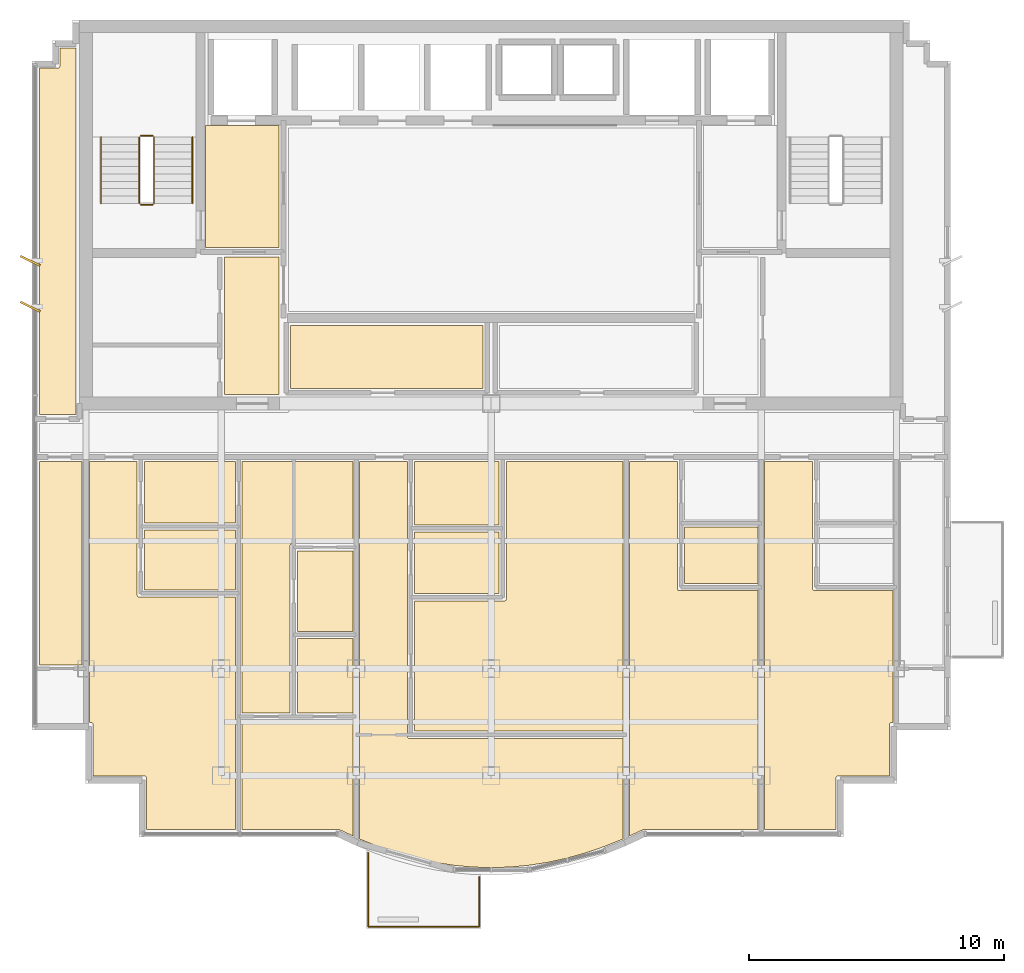
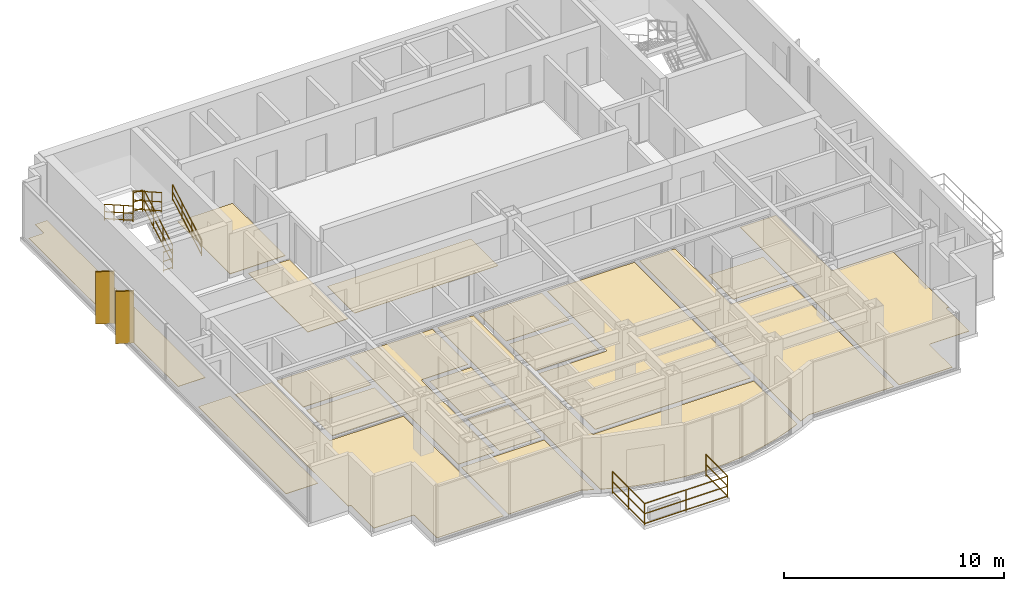
# One storey, part 8 of 9: 19 coverings, 7 railings, 2 shading devices.
"""IFC4 building model written with IfcOpenShell, lengths in metres."""

from ifc_helpers import new_model, si_unit, direction, frame, origin, origin_2d, place, context, subcontext, project, spatial, polyline, rectangle, circle, outline, extrude, source, transform, mapped, material, layer, layer_set, type_object, element, save


model = new_model("IFC4")

# Units and contexts
model_context = context("Model", 3, precision=1e-05, world=origin(), true_north=direction((0.0, 1.0)))
body_context = subcontext(model_context, "Body", "Model", "MODEL_VIEW")
ifc_project = project(units=[si_unit("LENGTHUNIT", "METRE"), si_unit("AREAUNIT", "SQUARE_METRE"), si_unit("VOLUMEUNIT", "CUBIC_METRE"), si_unit("PLANEANGLEUNIT", "RADIAN"), si_unit("MASSUNIT", "GRAM", prefix="KILO")], contexts=[model_context])

# Site, building, storey
site_placement = place(None, origin())
site = spatial("IfcSite", under=ifc_project, at=site_placement, CompositionType="ELEMENT")
building_placement = place(site_placement, origin())
building = spatial("IfcBuilding", under=site, at=building_placement, Name="Qianlan Lanfeng Residences", CompositionType="ELEMENT")
storey_placement = place(building_placement, frame((0.0, 0.0, 242.89990234375)))
storey = spatial("IfcBuildingStorey", under=building, at=storey_placement, Name="L67", CompositionType="ELEMENT", Elevation=242.89990234375)

# Coverings
ifc_material_1 = material(Name="Honed Taitung Granite Stone Flooring", Category="masonry")
ifc_layer_1 = layer(ifc_material_1, 0.030029296875)
ifc_layer_set_1 = layer_set([ifc_layer_1], Name="Honed Taitung Granite Stone Flooring")
covering_type_1 = type_object("IfcCoveringType", Name="FLR-STN-30", PredefinedType="FLOORING", material=ifc_layer_set_1)
covering_1_placement = place(storey_placement, origin())
element("IfcCovering", 1, at=covering_1_placement, inside=storey, type_object=covering_type_1, Name="L67 Firefighting Lift Lobby Floor Finish", PredefinedType="FLOORING", context=body_context, shape_type="SweptSolid", body=[
    extrude(outline(polyline([(15.2900390625, 31.320068359375), (18.179931640625, 31.320068359375), (18.179931640625, 36.110107421875), (15.2900390625, 36.110107421875), (15.2900390625, 31.320068359375)])), origin(), (0.0, 0.0, 1.0), 0.030029296875),
])
covering_2_placement = place(storey_placement, origin())
element("IfcCovering", 2, at=covering_2_placement, inside=storey, type_object=covering_type_1, Name="L67 Lift Lobby Floor Finish", PredefinedType="FLOORING", context=body_context, shape_type="SweptSolid", body=[
    extrude(outline(polyline([(16.030029296875, 25.56005859375), (18.169921875, 25.56005859375), (18.169921875, 30.949951171875), (16.030029296875, 30.949951171875), (16.030029296875, 25.56005859375)])), origin(), (0.0, 0.0, 1.0), 0.030029296875),
])
ifc_material_2 = material(Name="Slip-Resistant Porcelain Tile Flooring")
ifc_layer_2 = layer(ifc_material_2, 0.02001953125)
ifc_layer_set_2 = layer_set([ifc_layer_2], Name="Slip-Resistant Porcelain Tile Flooring")
covering_type_2 = type_object("IfcCoveringType", Name="FLR-TIL-20", PredefinedType="FLOORING", material=ifc_layer_set_2)
covering_3_placement = place(storey_placement, origin())
element("IfcCovering", 3, at=covering_3_placement, inside=storey, type_object=covering_type_2, Name="L67 Kitchen Floor Finish", PredefinedType="FLOORING", context=body_context, shape_type="SweptSolid", body=[
    extrude(outline(polyline([(12.889892578125, 17.89306640625), (16.4599609375, 17.89306640625), (16.4599609375, 20.237060546875), (12.889892578125, 20.237060546875), (12.889892578125, 17.89306640625)])), origin(), (0.0, 0.0, 1.0), 0.02001953125),
])
covering_4_placement = place(storey_placement, origin())
element("IfcCovering", 4, at=covering_4_placement, inside=storey, type_object=covering_type_2, Name="L67 Bathroom Floor Finish", PredefinedType="FLOORING", context=body_context, shape_type="SweptSolid", body=[
    extrude(outline(polyline([(12.889892578125, 20.51708984375), (16.4599609375, 20.51708984375), (16.4599609375, 22.929931640625), (12.889892578125, 22.929931640625), (12.889892578125, 20.51708984375)])), origin(), (0.0, 0.0, 1.0), 0.02001953125),
])
covering_5_placement = place(storey_placement, origin())
element("IfcCovering", 5, at=covering_5_placement, inside=storey, type_object=covering_type_2, Name="L67 En-Suite Bathroom Floor Finish", PredefinedType="FLOORING", context=body_context, shape_type="SweptSolid", body=[
    extrude(outline(polyline([(18.889892578125, 13.06005859375), (21.070068359375, 13.06005859375), (21.070068359375, 15.97998046875), (18.889892578125, 15.97998046875), (18.889892578125, 13.06005859375)])), origin(), (0.0, 0.0, 1.0), 0.02001953125),
])
covering_6_placement = place(storey_placement, origin())
element("IfcCovering", 6, at=covering_6_placement, inside=storey, type_object=covering_type_2, Name="L67 Kitchen Floor Finish", PredefinedType="FLOORING", context=body_context, shape_type="SweptSolid", body=[
    extrude(outline(polyline([(23.489990234375, 17.739990234375), (26.81005859375, 17.739990234375), (26.81005859375, 20.159912109375), (23.489990234375, 20.159912109375), (23.489990234375, 17.739990234375)])), origin(), (0.0, 0.0, 1.0), 0.02001953125),
])
covering_7_placement = place(storey_placement, origin())
element("IfcCovering", 7, at=covering_7_placement, inside=storey, type_object=covering_type_2, Name="L67 Bathroom Floor Finish", PredefinedType="FLOORING", context=body_context, shape_type="SweptSolid", body=[
    extrude(outline(polyline([(23.489990234375, 20.43994140625), (26.81005859375, 20.43994140625), (26.81005859375, 22.929931640625), (23.489990234375, 22.929931640625), (23.489990234375, 20.43994140625)])), origin(), (0.0, 0.0, 1.0), 0.02001953125),
])
covering_8_placement = place(storey_placement, origin())
element("IfcCovering", 8, at=covering_8_placement, inside=storey, type_object=covering_type_2, Name="L67 Kitchen Floor Finish", PredefinedType="FLOORING", context=body_context, shape_type="SweptSolid", body=[
    extrude(outline(polyline([(34.090087890625, 18.139892578125), (36.9599609375, 18.139892578125), (36.9599609375, 20.360107421875), (34.090087890625, 20.360107421875), (34.090087890625, 18.139892578125)])), origin(), (0.0, 0.0, 1.0), 0.02001953125),
])
ifc_material_3 = material(Name="Engineered Smoked Oak Timber Flooring", Category="wood")
ifc_layer_3 = layer(ifc_material_3, 0.02197265625)
ifc_layer_set_3 = layer_set([ifc_layer_3], Name="Engineered Smoked Oak Timber Flooring")
covering_type_3 = type_object("IfcCoveringType", Name="FLR-TIM-22", PredefinedType="FLOORING", material=ifc_layer_set_3)
covering_9_placement = place(storey_placement, origin())
element("IfcCovering", 9, at=covering_9_placement, inside=storey, type_object=covering_type_3, Name="L67 Gallery Salon Floor Finish", PredefinedType="FLOORING", context=body_context, shape_type="SweptSolid", body=[
    extrude(outline(polyline([(18.6298828125, 25.800048828125), (26.169921875, 25.800048828125), (26.169921875, 28.2548828125), (18.6298828125, 28.2548828125), (18.6298828125, 25.800048828125)])), origin(), (0.0, 0.0, 1.0), 0.022216796875),
])
covering_10_placement = place(storey_placement, origin())
element("IfcCovering", 10, at=covering_10_placement, inside=storey, type_object=covering_type_3, Name="L67 Living and Dining Room Floor Finish", PredefinedType="FLOORING", context=body_context, shape_type="SweptSolid", body=[
    extrude(outline(polyline([(16.469970703125, 8.489990234375), (16.469970703125, 17.613037109375), (12.679931640625, 17.613037109375), (12.673095703125, 17.613037109375), (12.666015625, 17.614013671875), (12.659912109375, 17.615966796875), (12.653076171875, 17.617919921875), (12.64697265625, 17.62109375), (12.64111328125, 17.625), (12.635986328125, 17.62890625), (12.631103515625, 17.634033203125), (12.6259765625, 17.638916015625), (12.6220703125, 17.64404296875), (12.617919921875, 17.64990234375), (12.614990234375, 17.656005859375), (12.613037109375, 17.6630859375), (12.611083984375, 17.6689453125), (12.610107421875, 17.676025390625), (12.610107421875, 17.68310546875), (12.610107421875, 22.929931640625), (10.72998046875, 22.929931640625), (10.72998046875, 12.68994140625), (10.800048828125, 12.68994140625), (10.806884765625, 12.68994140625), (10.81396484375, 12.68896484375), (10.820068359375, 12.68701171875), (10.826904296875, 12.68505859375), (10.8330078125, 12.681884765625), (10.839111328125, 12.677978515625), (10.843994140625, 12.674072265625), (10.84912109375, 12.6689453125), (10.85400390625, 12.6640625), (10.85791015625, 12.658935546875), (10.862060546875, 12.653076171875), (10.864990234375, 12.64697265625), (10.866943359375, 12.639892578125), (10.868896484375, 12.634033203125), (10.8701171875, 12.626953125), (10.8701171875, 12.6201171875), (10.8701171875, 10.590087890625), (12.89990234375, 10.590087890625), (12.906982421875, 10.590087890625), (12.9140625, 10.589111328125), (12.919921875, 10.5869140625), (12.927001953125, 10.5849609375), (12.93310546875, 10.58203125), (12.93896484375, 10.577880859375), (12.944091796875, 10.573974609375), (12.948974609375, 10.569091796875), (12.9541015625, 10.56396484375), (12.9580078125, 10.55908203125), (12.9619140625, 10.552978515625), (12.965087890625, 10.547119140625), (12.967041015625, 10.5400390625), (12.968994140625, 10.533935546875), (12.969970703125, 10.527099609375), (12.969970703125, 10.52001953125), (12.969970703125, 8.489990234375), (16.469970703125, 8.489990234375)])), origin(), (0.0, 0.0, 1.0), 0.022216796875),
])
covering_11_placement = place(storey_placement, origin())
element("IfcCovering", 11, at=covering_11_placement, inside=storey, type_object=covering_type_3, Name="L67 Private Study Floor Finish", PredefinedType="FLOORING", context=body_context, shape_type="SweptSolid", body=[
    extrude(outline(polyline([(18.889892578125, 16.260009765625), (21.070068359375, 16.260009765625), (21.070068359375, 19.419921875), (18.889892578125, 19.419921875), (18.889892578125, 16.260009765625)])), origin(), (0.0, 0.0, 1.0), 0.022216796875),
])
covering_12_placement = place(storey_placement, origin())
element("IfcCovering", 12, at=covering_12_placement, inside=storey, type_object=covering_type_3, Name="L67 Villa Family Sitting Room Floor Finish", PredefinedType="FLOORING", context=body_context, shape_type="SweptSolid", body=[
    extrude(outline(polyline([(16.72998046875, 13.06005859375), (18.610107421875, 13.06005859375), (18.610107421875, 19.6298828125), (18.610107421875, 19.636962890625), (18.611083984375, 19.64404296875), (18.613037109375, 19.64990234375), (18.614990234375, 19.656982421875), (18.617919921875, 19.6630859375), (18.6220703125, 19.6689453125), (18.6259765625, 19.674072265625), (18.631103515625, 19.678955078125), (18.635986328125, 19.68408203125), (18.64111328125, 19.68798828125), (18.64697265625, 19.69189453125), (18.653076171875, 19.695068359375), (18.659912109375, 19.697021484375), (18.666015625, 19.698974609375), (18.673095703125, 19.699951171875), (18.679931640625, 19.699951171875), (21.070068359375, 19.699951171875), (21.070068359375, 22.929931640625), (16.72998046875, 22.929931640625), (16.72998046875, 13.06005859375)])), origin(), (0.0, 0.0, 1.0), 0.022216796875),
])
covering_13_placement = place(storey_placement, origin())
element("IfcCovering", 13, at=covering_13_placement, inside=storey, type_object=covering_type_3, Name="L67 Master Bedroom Floor Finish", PredefinedType="FLOORING", context=body_context, shape_type="SweptSolid", body=[
    extrude(outline(polyline([(16.72998046875, 12.780029296875), (16.72998046875, 8.489990234375), (20.509033203125, 8.489990234375), (20.51611328125, 8.489990234375), (20.52392578125, 8.488037109375), (20.531005859375, 8.486083984375), (20.5380859375, 8.48291015625), (21.070068359375, 8.236083984375), (21.070068359375, 12.780029296875), (16.72998046875, 12.780029296875)])), origin(), (0.0, 0.0, 1.0), 0.022216796875),
])
covering_14_placement = place(storey_placement, origin())
element("IfcCovering", 14, at=covering_14_placement, inside=storey, type_object=covering_type_3, Name="L67 Studio Living Room Floor Finish", PredefinedType="FLOORING", context=body_context, shape_type="SweptSolid", body=[
    extrude(outline(polyline([(31.669921875, 8.114013671875), (31.669921875, 12.06298828125), (23.280029296875, 12.06298828125), (23.27294921875, 12.06298828125), (23.26611328125, 12.06396484375), (23.260009765625, 12.06591796875), (23.2529296875, 12.068115234375), (23.2470703125, 12.071044921875), (23.240966796875, 12.074951171875), (23.236083984375, 12.0791015625), (23.23095703125, 12.083984375), (23.22607421875, 12.089111328125), (23.221923828125, 12.093994140625), (23.218017578125, 12.10009765625), (23.215087890625, 12.10595703125), (23.212890625, 12.113037109375), (23.2109375, 12.118896484375), (23.2099609375, 12.1259765625), (23.2099609375, 12.133056640625), (23.2099609375, 22.929931640625), (21.330078125, 22.929931640625), (21.330078125, 8.114013671875), (21.3310546875, 8.114013671875), (22.071044921875, 7.81591796875), (22.81103515625, 7.56298828125), (23.550048828125, 7.35693359375), (24.2880859375, 7.196044921875), (25.02587890625, 7.08203125), (25.762939453125, 7.012939453125), (26.5, 6.989990234375), (27.237060546875, 7.012939453125), (27.97412109375, 7.08203125), (28.7119140625, 7.196044921875), (29.449951171875, 7.35693359375), (30.18896484375, 7.56298828125), (30.928955078125, 7.81591796875), (31.6689453125, 8.114013671875), (31.669921875, 8.114013671875)])), origin(), (0.0, 0.0, 1.0), 0.022216796875),
])
covering_15_placement = place(storey_placement, origin())
element("IfcCovering", 15, at=covering_15_placement, inside=storey, type_object=covering_type_3, Name="L67 Villa Family Sitting Room Floor Finish", PredefinedType="FLOORING", context=body_context, shape_type="SweptSolid", body=[
    extrude(outline(polyline([(23.489990234375, 12.343017578125), (31.669921875, 12.343017578125), (31.669921875, 22.929931640625), (27.090087890625, 22.929931640625), (27.090087890625, 17.530029296875), (27.090087890625, 17.52294921875), (27.089111328125, 17.51611328125), (27.0869140625, 17.510009765625), (27.0849609375, 17.5029296875), (27.08203125, 17.4970703125), (27.077880859375, 17.490966796875), (27.073974609375, 17.486083984375), (27.069091796875, 17.48095703125), (27.06396484375, 17.47607421875), (27.05908203125, 17.471923828125), (27.052978515625, 17.468017578125), (27.047119140625, 17.465087890625), (27.0400390625, 17.462890625), (27.033935546875, 17.4609375), (27.027099609375, 17.4599609375), (27.02001953125, 17.4599609375), (23.489990234375, 17.4599609375), (23.489990234375, 12.343017578125)])), origin(), (0.0, 0.0, 1.0), 0.022216796875),
])
covering_16_placement = place(storey_placement, origin())
element("IfcCovering", 16, at=covering_16_placement, inside=storey, type_object=covering_type_3, Name="L67 Studio Living Room Floor Finish", PredefinedType="FLOORING", context=body_context, shape_type="SweptSolid", body=[
    extrude(outline(polyline([(36.969970703125, 8.489990234375), (36.969970703125, 17.860107421875), (33.8798828125, 17.860107421875), (33.873046875, 17.860107421875), (33.865966796875, 17.861083984375), (33.860107421875, 17.863037109375), (33.85302734375, 17.864990234375), (33.846923828125, 17.867919921875), (33.841064453125, 17.8720703125), (33.8359375, 17.8759765625), (33.8310546875, 17.881103515625), (33.825927734375, 17.885986328125), (33.822021484375, 17.89111328125), (33.818115234375, 17.89697265625), (33.81494140625, 17.903076171875), (33.81298828125, 17.909912109375), (33.81103515625, 17.916015625), (33.81005859375, 17.923095703125), (33.81005859375, 17.929931640625), (33.81005859375, 22.929931640625), (31.929931640625, 22.929931640625), (31.929931640625, 8.236083984375), (32.4619140625, 8.48291015625), (32.468994140625, 8.486083984375), (32.47607421875, 8.488037109375), (32.48388671875, 8.489990234375), (32.490966796875, 8.489990234375), (36.969970703125, 8.489990234375)])), origin(), (0.0, 0.0, 1.0), 0.022216796875),
])
covering_17_placement = place(storey_placement, origin())
element("IfcCovering", 17, at=covering_17_placement, inside=storey, type_object=covering_type_3, Name="L67 Studio Living Room Floor Finish", PredefinedType="FLOORING", context=body_context, shape_type="SweptSolid", body=[
    extrude(outline(polyline([(42.27001953125, 12.68994140625), (42.27001953125, 17.860107421875), (39.179931640625, 17.860107421875), (39.173095703125, 17.860107421875), (39.166015625, 17.861083984375), (39.159912109375, 17.863037109375), (39.153076171875, 17.864990234375), (39.14697265625, 17.867919921875), (39.14111328125, 17.8720703125), (39.135986328125, 17.8759765625), (39.131103515625, 17.881103515625), (39.1259765625, 17.885986328125), (39.1220703125, 17.89111328125), (39.117919921875, 17.89697265625), (39.114990234375, 17.903076171875), (39.113037109375, 17.909912109375), (39.111083984375, 17.916015625), (39.110107421875, 17.923095703125), (39.110107421875, 17.929931640625), (39.110107421875, 22.929931640625), (37.22998046875, 22.929931640625), (37.22998046875, 8.489990234375), (40.030029296875, 8.489990234375), (40.030029296875, 10.52001953125), (40.030029296875, 10.527099609375), (40.031005859375, 10.533935546875), (40.032958984375, 10.5400390625), (40.034912109375, 10.547119140625), (40.0380859375, 10.552978515625), (40.0419921875, 10.55908203125), (40.0458984375, 10.56396484375), (40.051025390625, 10.569091796875), (40.055908203125, 10.573974609375), (40.06103515625, 10.577880859375), (40.06689453125, 10.58203125), (40.072998046875, 10.5849609375), (40.080078125, 10.5869140625), (40.0859375, 10.589111328125), (40.093017578125, 10.590087890625), (40.10009765625, 10.590087890625), (42.1298828125, 10.590087890625), (42.1298828125, 12.6201171875), (42.1298828125, 12.626953125), (42.131103515625, 12.634033203125), (42.133056640625, 12.639892578125), (42.135009765625, 12.64697265625), (42.137939453125, 12.653076171875), (42.14208984375, 12.658935546875), (42.14599609375, 12.6640625), (42.15087890625, 12.6689453125), (42.156005859375, 12.674072265625), (42.160888671875, 12.677978515625), (42.1669921875, 12.681884765625), (42.173095703125, 12.68505859375), (42.179931640625, 12.68701171875), (42.18603515625, 12.68896484375), (42.193115234375, 12.68994140625), (42.199951171875, 12.68994140625), (42.27001953125, 12.68994140625)])), origin(), (0.0, 0.0, 1.0), 0.022216796875),
])
covering_18_placement = place(storey_placement, origin())
element("IfcCovering", 18, at=covering_18_placement, inside=storey, type_object=covering_type_3, Name="L67 Family Sitting Room Floor Finish", PredefinedType="FLOORING", context=body_context, shape_type="SweptSolid", body=[
    extrude(outline(polyline([(10.43994140625, 22.929931640625), (8.77001953125, 22.929931640625), (8.77001953125, 14.949951171875), (10.43994140625, 14.949951171875), (10.43994140625, 22.929931640625)])), origin(), (0.0, 0.0, 1.0), 0.022216796875),
])
covering_19_placement = place(storey_placement, origin())
element("IfcCovering", 19, at=covering_19_placement, inside=storey, type_object=covering_type_3, Name="L67 Conservatory Salon Floor Finish", PredefinedType="FLOORING", context=body_context, shape_type="SweptSolid", body=[
    extrude(outline(polyline([(10.199951171875, 24.77001953125), (10.199951171875, 39.159912109375), (9.570068359375, 39.159912109375), (9.570068359375, 38.429931640625), (9.570068359375, 38.423095703125), (9.569091796875, 38.416015625), (9.56689453125, 38.409912109375), (9.56494140625, 38.403076171875), (9.56201171875, 38.39697265625), (9.55810546875, 38.39111328125), (9.553955078125, 38.385986328125), (9.549072265625, 38.381103515625), (9.5439453125, 38.3759765625), (9.5390625, 38.3720703125), (9.532958984375, 38.367919921875), (9.527099609375, 38.364990234375), (9.52001953125, 38.363037109375), (9.513916015625, 38.361083984375), (9.507080078125, 38.360107421875), (9.5, 38.360107421875), (8.77001953125, 38.360107421875), (8.77001953125, 24.77001953125), (10.199951171875, 24.77001953125)])), origin(), (0.0, 0.0, 1.0), 0.022216796875),
])

# Railings
ifc_material_4 = material(Name="Anodised Bronze Aluminium and Laminated Glass Guard Balustrade", Category="aluminium")
railing_type_1 = type_object("IfcRailingType", Name="GR-EXT-1220", PredefinedType="BALUSTRADE", material=ifc_material_4)
railing_1_placement = place(storey_placement, frame((26.030029296875, 6.64404296875, 0.0)))
element("IfcRailing", 20, at=railing_1_placement, inside=storey, type_object=railing_type_1, Name="L67 Terrace Safety Guard GR-L67-SB-C", PredefinedType="BALUSTRADE", context=body_context, shape_type="SweptSolid", body=[
    extrude(circle(Radius=0.02490234375, at=origin_2d()), frame((0.0, 0.0, 0.0849609375), z_axis=(0.0, -1.0, 0.0), x_axis=(1.0, 0.0, 0.0)), (0.0, 0.0, 1.0), 1.97412109375),
    extrude(circle(Radius=0.02490234375, at=origin_2d()), frame((0.0, 0.0, 0.63427734375), z_axis=(0.0, -1.0, 0.0), x_axis=(1.0, 0.0, 0.0)), (0.0, 0.0, 1.0), 1.97412109375),
    extrude(circle(Radius=0.02490234375, at=origin_2d()), frame((0.0, 0.0, 1.19482421875), z_axis=(0.0, -1.0, 0.0), x_axis=(1.0, 0.0, 0.0)), (0.0, 0.0, 1.0), 1.97412109375),
    extrude(circle(Radius=0.02490234375, at=origin_2d()), frame((0.0, -1.97412109375, 0.0849609375), z_axis=(-1.0, 0.0, 0.0), x_axis=(0.0, -1.0, 0.0)), (0.0, 0.0, 1.0), 4.360107421875),
    extrude(circle(Radius=0.02490234375, at=origin_2d()), frame((0.0, -1.97412109375, 0.63427734375), z_axis=(-1.0, 0.0, 0.0), x_axis=(0.0, -1.0, 0.0)), (0.0, 0.0, 1.0), 4.360107421875),
    extrude(circle(Radius=0.02490234375, at=origin_2d()), frame((0.0, -1.97412109375, 1.19482421875), z_axis=(-1.0, 0.0, 0.0), x_axis=(0.0, -1.0, 0.0)), (0.0, 0.0, 1.0), 4.360107421875),
    extrude(circle(Radius=0.02490234375, at=origin_2d()), frame((-4.360107421875, -1.97412109375, 0.0849609375), z_axis=(0.0, 1.0, 0.0), x_axis=(-1.0, 0.0, 0.0)), (0.0, 0.0, 1.0), 2.919189453125),
    extrude(circle(Radius=0.02490234375, at=origin_2d()), frame((-4.360107421875, -1.97412109375, 0.63427734375), z_axis=(0.0, 1.0, 0.0), x_axis=(-1.0, 0.0, 0.0)), (0.0, 0.0, 1.0), 2.919189453125),
    extrude(circle(Radius=0.02490234375, at=origin_2d()), frame((-4.360107421875, -1.97412109375, 1.19482421875), z_axis=(0.0, 1.0, 0.0), x_axis=(-1.0, 0.0, 0.0)), (0.0, 0.0, 1.0), 2.919189453125),
    extrude(circle(Radius=0.02099609375, at=origin_2d()), origin(), (0.0, 0.0, 1.0), 1.169921875),
    extrude(circle(Radius=0.02099609375, at=origin_2d()), frame((0.0, -1.97412109375, 0.0)), (0.0, 0.0, 1.0), 1.169921875),
    extrude(circle(Radius=0.02099609375, at=origin_2d()), frame((-2.18017578125, -1.97412109375, 0.0)), (0.0, 0.0, 1.0), 1.169921875),
    extrude(circle(Radius=0.02099609375, at=origin_2d()), frame((-4.360107421875, -1.97412109375, 0.0)), (0.0, 0.0, 1.0), 1.169921875),
    extrude(circle(Radius=0.02099609375, at=origin_2d()), frame((-4.360107421875, -0.5146484375, 0.0)), (0.0, 0.0, 1.0), 1.169921875),
    extrude(circle(Radius=0.02099609375, at=origin_2d()), frame((-4.360107421875, 0.945068359375, 0.0)), (0.0, 0.0, 1.0), 1.169921875),
])
ifc_material_5 = material(Name="Painted Galvanised Steel Guardrail", Category="steel")
railing_type_2 = type_object("IfcRailingType", Name="GR-ST-1120", PredefinedType="GUARDRAIL", material=ifc_material_5)
railing_2_placement = place(storey_placement, frame((13.27001953125, 33.050048828125, 0.1650390625)))
element("IfcRailing", 21, at=railing_2_placement, inside=storey, type_object=railing_type_2, Name="L67 ST-1 stair guard 1", PredefinedType="GUARDRAIL", context=body_context, shape_type="SweptSolid", body=[
    extrude(circle(Radius=0.02392578125, at=origin_2d()), frame((0.0, 0.0, 0.083984375), z_axis=(0.0, 0.869137319866, 0.494570843475), x_axis=(-1.0, 0.0, 0.0)), (0.0, 0.0, 1.0), 3.0029296875),
    extrude(circle(Radius=0.02392578125, at=origin_2d()), frame((0.0, 0.0, 0.58251953125), z_axis=(0.0, 0.869137319866, 0.494570843475), x_axis=(-1.0, 0.0, 0.0)), (0.0, 0.0, 1.0), 3.0029296875),
    extrude(circle(Radius=0.02392578125, at=origin_2d()), frame((0.0, 0.0, 1.09619140625), z_axis=(0.0, 0.869137319866, 0.494570843475), x_axis=(-1.0, 0.0, 0.0)), (0.0, 0.0, 1.0), 3.0029296875),
    extrude(circle(Radius=0.02099609375, at=origin_2d()), origin(), (0.0, 0.0, 1.0), 1.072021484375),
    extrude(circle(Radius=0.02099609375, at=origin_2d()), frame((0.0, 0.869873046875, 0.4951171875)), (0.0, 0.0, 1.0), 1.072021484375),
    extrude(circle(Radius=0.02099609375, at=origin_2d()), frame((0.0, 1.739990234375, 0.989990234375)), (0.0, 0.0, 1.0), 1.072021484375),
    extrude(circle(Radius=0.02099609375, at=origin_2d()), frame((0.0, 2.60986328125, 1.485107421875)), (0.0, 0.0, 1.0), 1.072021484375),
])
railing_3_placement = place(storey_placement, frame((13.219970703125, 35.7099609375, 1.650146484375)))
element("IfcRailing", 22, at=railing_3_placement, inside=storey, type_object=railing_type_2, Name="L67 ST-1 stair guard 2", PredefinedType="GUARDRAIL", context=body_context, shape_type="SweptSolid", body=[
    extrude(circle(Radius=0.02392578125, at=origin_2d()), frame((0.0, 0.0, 0.083984375), z_axis=(-1.0, 0.0, 0.0), x_axis=(0.0, -1.0, 0.0)), (0.0, 0.0, 1.0), 0.47998046875),
    extrude(circle(Radius=0.02392578125, at=origin_2d()), frame((0.0, 0.0, 0.58251953125), z_axis=(-1.0, 0.0, 0.0), x_axis=(0.0, -1.0, 0.0)), (0.0, 0.0, 1.0), 0.47998046875),
    extrude(circle(Radius=0.02392578125, at=origin_2d()), frame((0.0, 0.0, 1.09619140625), z_axis=(-1.0, 0.0, 0.0), x_axis=(0.0, -1.0, 0.0)), (0.0, 0.0, 1.0), 0.47998046875),
    extrude(circle(Radius=0.02099609375, at=origin_2d()), origin(), (0.0, 0.0, 1.0), 1.072021484375),
    extrude(circle(Radius=0.02099609375, at=origin_2d()), frame((-0.47998046875, 0.0, 0.0)), (0.0, 0.0, 1.0), 1.072021484375),
])
railing_4_placement = place(storey_placement, frame((12.68994140625, 35.659912109375, 1.815185546875)))
element("IfcRailing", 23, at=railing_4_placement, inside=storey, type_object=railing_type_2, Name="L67 ST-1 stair guard 3", PredefinedType="GUARDRAIL", context=body_context, shape_type="SweptSolid", body=[
    extrude(circle(Radius=0.02392578125, at=origin_2d()), frame((0.0, 0.0, 0.083984375), z_axis=(0.0, -0.869172267526, 0.494509422927), x_axis=(1.0, 0.0, 0.0)), (0.0, 0.0, 1.0), 3.002685546875),
    extrude(circle(Radius=0.02392578125, at=origin_2d()), frame((0.0, 0.0, 0.58251953125), z_axis=(0.0, -0.869172267526, 0.494509422927), x_axis=(1.0, 0.0, 0.0)), (0.0, 0.0, 1.0), 3.002685546875),
    extrude(circle(Radius=0.02392578125, at=origin_2d()), frame((0.0, 0.0, 1.09619140625), z_axis=(0.0, -0.869172267526, 0.494509422927), x_axis=(1.0, 0.0, 0.0)), (0.0, 0.0, 1.0), 3.002685546875),
    extrude(circle(Radius=0.02099609375, at=origin_2d()), origin(), (0.0, 0.0, 1.0), 1.072021484375),
    extrude(circle(Radius=0.02099609375, at=origin_2d()), frame((0.0, -0.869873046875, 0.494873046875)), (0.0, 0.0, 1.0), 1.072021484375),
    extrude(circle(Radius=0.02099609375, at=origin_2d()), frame((0.0, -1.739990234375, 0.989990234375)), (0.0, 0.0, 1.0), 1.072021484375),
    extrude(circle(Radius=0.02099609375, at=origin_2d()), frame((0.0, -2.60986328125, 1.48486328125)), (0.0, 0.0, 1.0), 1.072021484375),
])
railing_5_placement = place(storey_placement, frame((13.219970703125, 33.0, 0.0)))
element("IfcRailing", 24, at=railing_5_placement, inside=storey, type_object=railing_type_2, Name="L67 ST-1 stair guard 4", PredefinedType="GUARDRAIL", context=body_context, shape_type="SweptSolid", body=[
    extrude(circle(Radius=0.02392578125, at=origin_2d()), frame((0.0, 0.0, 0.083984375), z_axis=(-1.0, 0.0, 0.0), x_axis=(0.0, -1.0, 0.0)), (0.0, 0.0, 1.0), 0.47998046875),
    extrude(circle(Radius=0.02392578125, at=origin_2d()), frame((0.0, 0.0, 0.58251953125), z_axis=(-1.0, 0.0, 0.0), x_axis=(0.0, -1.0, 0.0)), (0.0, 0.0, 1.0), 0.47998046875),
    extrude(circle(Radius=0.02392578125, at=origin_2d()), frame((0.0, 0.0, 1.09619140625), z_axis=(-1.0, 0.0, 0.0), x_axis=(0.0, -1.0, 0.0)), (0.0, 0.0, 1.0), 0.47998046875),
    extrude(circle(Radius=0.02099609375, at=origin_2d()), origin(), (0.0, 0.0, 1.0), 1.072021484375),
    extrude(circle(Radius=0.02099609375, at=origin_2d()), frame((-0.47998046875, 0.0, 0.0)), (0.0, 0.0, 1.0), 1.072021484375),
])
ifc_material_6 = material(Name="Brushed Stainless Steel Handrail", Category="steel")
railing_type_3 = type_object("IfcRailingType", Name="HR-ST-920", PredefinedType="HANDRAIL", material=ifc_material_6)
railing_6_placement = place(storey_placement, frame((14.77001953125, 33.050048828125, 0.1650390625)))
element("IfcRailing", 25, at=railing_6_placement, inside=storey, type_object=railing_type_3, Name="L67 ST-1 stair handrail 1", PredefinedType="HANDRAIL", context=body_context, shape_type="SweptSolid", body=[
    extrude(circle(Radius=0.02392578125, at=origin_2d()), frame((0.0, 0.0, 0.083984375), z_axis=(0.0, 0.869137319866, 0.494570843475), x_axis=(-1.0, 0.0, 0.0)), (0.0, 0.0, 1.0), 3.0029296875),
    extrude(circle(Radius=0.02392578125, at=origin_2d()), frame((0.0, 0.0, 0.468017578125), z_axis=(0.0, 0.869137319866, 0.494570843475), x_axis=(-1.0, 0.0, 0.0)), (0.0, 0.0, 1.0), 3.0029296875),
    extrude(circle(Radius=0.02392578125, at=origin_2d()), frame((0.0, 0.0, 0.8759765625), z_axis=(0.0, 0.869137319866, 0.494570843475), x_axis=(-1.0, 0.0, 0.0)), (0.0, 0.0, 1.0), 3.0029296875),
    extrude(circle(Radius=0.02099609375, at=origin_2d()), origin(), (0.0, 0.0, 1.0), 0.851806640625),
    extrude(circle(Radius=0.02099609375, at=origin_2d()), frame((0.0, 0.869873046875, 0.4951171875)), (0.0, 0.0, 1.0), 0.851806640625),
    extrude(circle(Radius=0.02099609375, at=origin_2d()), frame((0.0, 1.739990234375, 0.989990234375)), (0.0, 0.0, 1.0), 0.851806640625),
    extrude(circle(Radius=0.02099609375, at=origin_2d()), frame((0.0, 2.60986328125, 1.485107421875)), (0.0, 0.0, 1.0), 0.851806640625),
])
railing_7_placement = place(storey_placement, frame((11.18994140625, 35.659912109375, 1.815185546875)))
element("IfcRailing", 26, at=railing_7_placement, inside=storey, type_object=railing_type_3, Name="L67 ST-1 stair handrail 2", PredefinedType="HANDRAIL", context=body_context, shape_type="SweptSolid", body=[
    extrude(circle(Radius=0.02392578125, at=origin_2d()), frame((0.0, 0.0, 0.083984375), z_axis=(0.0, -0.869172267526, 0.494509422927), x_axis=(1.0, 0.0, 0.0)), (0.0, 0.0, 1.0), 3.002685546875),
    extrude(circle(Radius=0.02392578125, at=origin_2d()), frame((0.0, 0.0, 0.468017578125), z_axis=(0.0, -0.869172267526, 0.494509422927), x_axis=(1.0, 0.0, 0.0)), (0.0, 0.0, 1.0), 3.002685546875),
    extrude(circle(Radius=0.02392578125, at=origin_2d()), frame((0.0, 0.0, 0.8759765625), z_axis=(0.0, -0.869172267526, 0.494509422927), x_axis=(1.0, 0.0, 0.0)), (0.0, 0.0, 1.0), 3.002685546875),
    extrude(circle(Radius=0.02099609375, at=origin_2d()), origin(), (0.0, 0.0, 1.0), 0.851806640625),
    extrude(circle(Radius=0.02099609375, at=origin_2d()), frame((0.0, -0.869873046875, 0.494873046875)), (0.0, 0.0, 1.0), 0.851806640625),
    extrude(circle(Radius=0.02099609375, at=origin_2d()), frame((0.0, -1.739990234375, 0.989990234375)), (0.0, 0.0, 1.0), 0.851806640625),
    extrude(circle(Radius=0.02099609375, at=origin_2d()), frame((0.0, -2.60986328125, 1.48486328125)), (0.0, 0.0, 1.0), 0.851806640625),
])

# Shading devices
ifc_material_7 = material(Name="Anodised Bronze Aluminium Solar Fin", Category="aluminium")
shading_device_type = type_object("IfcShadingDeviceType", Name="FIN-BRZ-850", PredefinedType="SHUTTER", material=ifc_material_7)
shared_shape = source(origin(), body_context, "Body", "SweptSolid", [
    extrude(rectangle(XDim=0.85009765625, YDim=0.080078125, at=origin_2d()), origin(), (0.0, 0.0, 1.0), 2.89990234375),
])
for number, where, z_axis, x_axis, name in (
    (27, (8.409912109375, 29.0, 0.000244140625), (0.0, 0.0, 1.0), (0.898794046299, -0.438371146789, 0.0), "L67 Raked Bronze Solar Fin W1"),
    (28, (8.409912109375, 30.800048828125, 0.000244140625), (0.0, 0.0, 1.0), (0.898794046299, -0.438371146789, 0.0), "L67 Raked Bronze Solar Fin W2"),
):
    element("IfcShadingDevice", number, at=place(storey_placement, frame(where, z_axis=z_axis, x_axis=x_axis)), inside=storey, type_object=shading_device_type, Name=name, PredefinedType="SHUTTER", context=body_context, shape_type="MappedRepresentation", body=[
        mapped(shared_shape, transform((0.0, 0.0, 0.0), scale=1.0)),
    ])

save(model, "model.ifc")
